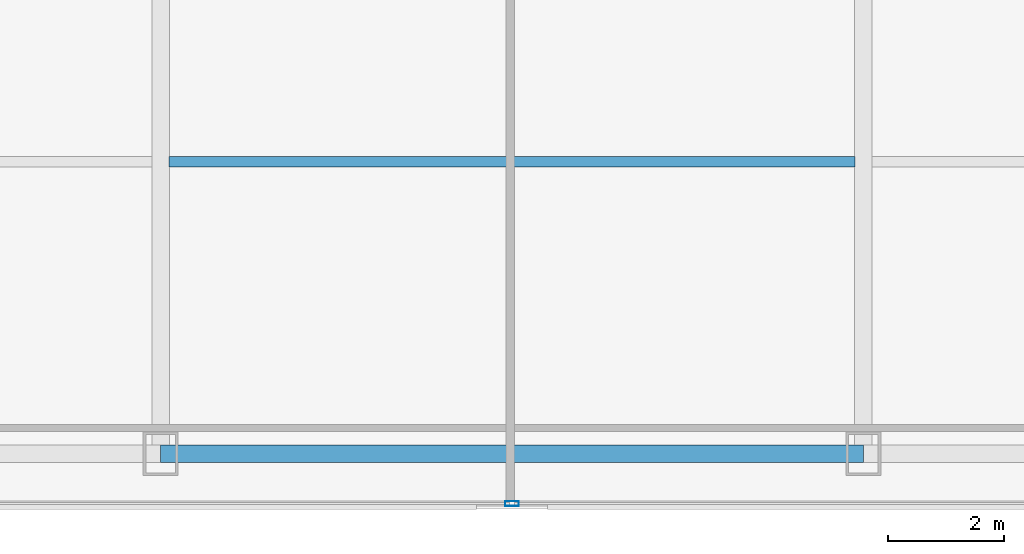
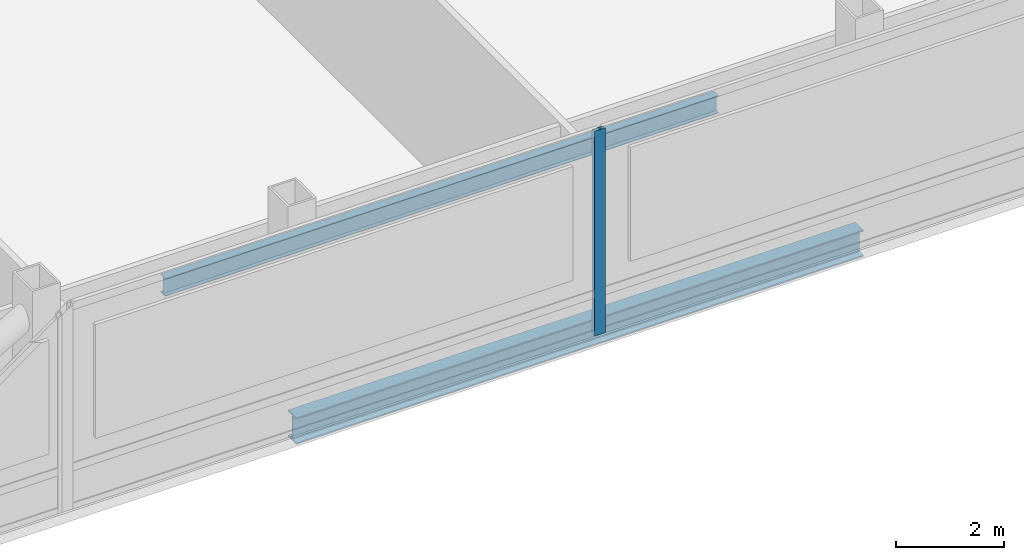
# One storey, part 10 of 32: 2 beams, 1 member, 1 element without a shape of its own.
"""IFC4 building model written with IfcOpenShell, lengths in metres."""

from ifc_helpers import new_model, si_unit, direction, frame, origin, origin_2d, place, context, subcontext, project, spatial, hollow_rectangle, i_section, extrude, material, material_profile, profile_set, type_object, element, aggregate, save


model = new_model("IFC4")

# Units and contexts
model_context = context("Model", 3, precision=1e-05, world=origin(), true_north=direction((0.0, 1.0)))
body_context = subcontext(model_context, "Body", "Model", "MODEL_VIEW")
ifc_project = project(units=[si_unit("LENGTHUNIT", "METRE"), si_unit("AREAUNIT", "SQUARE_METRE"), si_unit("VOLUMEUNIT", "CUBIC_METRE"), si_unit("PLANEANGLEUNIT", "RADIAN"), si_unit("MASSUNIT", "GRAM", prefix="KILO")], contexts=[model_context])

# Site, building, storey
site_placement = place(None, origin())
site = spatial("IfcSite", under=ifc_project, at=site_placement, CompositionType="ELEMENT")
building_placement = place(site_placement, origin())
building = spatial("IfcBuilding", under=site, at=building_placement, Name="Khoronbel Lancet Exchange", CompositionType="ELEMENT")
storey_placement = place(building_placement, frame((0.0, 0.0, 257.0)))
storey = spatial("IfcBuildingStorey", under=building, at=storey_placement, Name="L66", CompositionType="ELEMENT", Elevation=257.0)

# Beams
ifc_material_1 = material(Name="Steel S355", Category="steel")
ifc_material_profile_1 = material_profile(ifc_material_1, i_section(OverallWidth=0.179931640625, OverallDepth=0.39990234375, WebThickness=0.008544921875, FlangeThickness=0.013427734375, at=origin_2d()), Name="IPE 400")
ifc_profile_set_1 = profile_set([ifc_material_profile_1], Name="Steel S355")
beam_type_1 = type_object("IfcBeamType", Name="BM-BJ5", PredefinedType="JOIST", material=ifc_profile_set_1)
beam_1_placement = place(storey_placement, frame((30.52490234375, 15.199951171875, -0.419921875), z_axis=(1.0, 0.0, 0.0), x_axis=(0.0, 1.0, 0.0)))
element("IfcBeam", 1, at=beam_1_placement, inside=storey, type_object=beam_type_1, Name="Level L66 secondary composite joist J03", PredefinedType="JOIST", context=body_context, shape_type="SweptSolid", body=[
    extrude(i_section(OverallWidth=0.179931640625, OverallDepth=0.39990234375, WebThickness=0.008544921875, FlangeThickness=0.013427734375, at=origin_2d()), origin(), (0.0, 0.0, 1.0), 11.85009765625),
])
ifc_material_profile_2 = material_profile(ifc_material_1, i_section(OverallWidth=0.300048828125, OverallDepth=0.60009765625, WebThickness=0.015380859375, FlangeThickness=0.030029296875, at=origin_2d()), Name="HEB 600")
ifc_profile_set_2 = profile_set([ifc_material_profile_2], Name="Steel S355")
beam_type_2 = type_object("IfcBeamType", Name="BM-BSP2", PredefinedType="SPANDREL", material=ifc_profile_set_2)
beam_2_placement = place(storey_placement, frame((30.375, 10.14990234375, -0.52001953125), z_axis=(1.0, 0.0, 0.0), x_axis=(0.0, 1.0, 0.0)))
element("IfcBeam", 2, at=beam_2_placement, inside=storey, type_object=beam_type_2, Name="Level L66 perimeter spandrel beam SP05", PredefinedType="SPANDREL", context=body_context, shape_type="SweptSolid", body=[
    extrude(i_section(OverallWidth=0.300048828125, OverallDepth=0.60009765625, WebThickness=0.015380859375, FlangeThickness=0.030029296875, at=origin_2d()), origin(), (0.0, 0.0, 1.0), 12.14990234375),
])

# Curtain wall, member
ifc_material_2 = material(Name="Low-E Solar Control Insulating Glass", Category="glass")
curtain_wall_type = type_object("IfcCurtainWallType", Name="CW-3", PredefinedType="NOTDEFINED", material=ifc_material_2)
curtain_wall_placement = place(storey_placement, origin())
curtain_wall = element("IfcCurtainWall", 3, at=curtain_wall_placement, inside=storey, type_object=curtain_wall_type, Name="Unitised curtain wall CW-L66-SCV", PredefinedType="NOTDEFINED")
ifc_material_3 = material(Name="Bronze-Anodised Aluminium 6063-T6", Category="aluminium")
ifc_material_profile_3 = material_profile(ifc_material_3, hollow_rectangle(XDim=0.0849609375, YDim=0.239990234375, WallThickness=0.006103515625, at=origin_2d()), Name="ALU MULLION 85x240")
ifc_profile_set_3 = profile_set([ifc_material_profile_3], Name="Bronze-Anodised Aluminium 6063-T6")
member_type = type_object("IfcMemberType", Name="MEM-CWM1", PredefinedType="MULLION", material=ifc_profile_set_3)
member_placement = place(storey_placement, frame((36.449951171875, 9.2900390625, 0.0), z_axis=(0.0, 0.0, 1.0), x_axis=(0.0, 1.0, 0.0)))
member = element("IfcMember", 4, at=member_placement, type_object=member_type, Name="CW3 mullion 2", PredefinedType="MULLION", context=body_context, shape_type="SweptSolid", body=[
    extrude(hollow_rectangle(XDim=0.0849609375, YDim=0.239990234375, WallThickness=0.006103515625, at=origin_2d()), origin(), (0.0, 0.0, 1.0), 4.639892578125),
])
aggregate(curtain_wall, [member])

save(model, "model.ifc")
